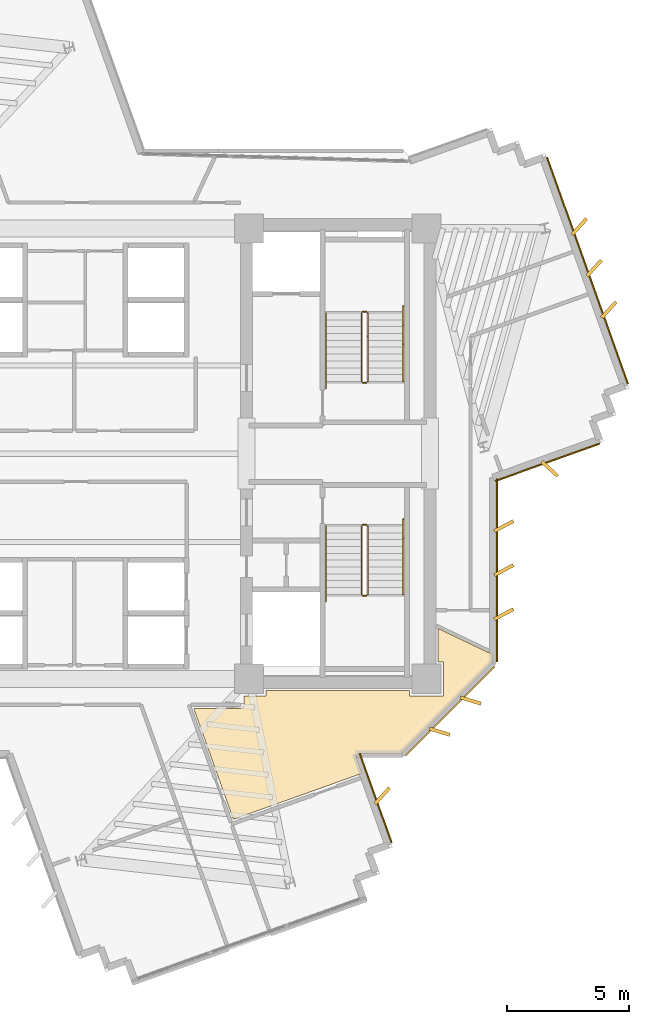
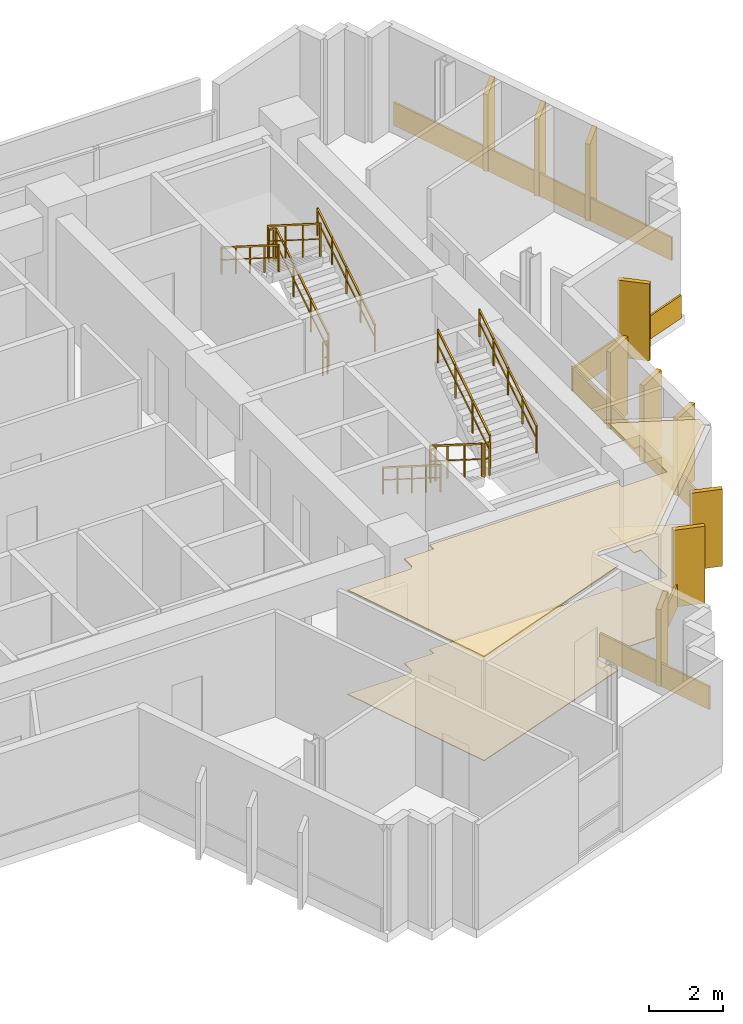
# One storey, part 12 of 13: 17 coverings, 12 railings.
"""IFC4 building model written with IfcOpenShell, lengths in metres."""

from ifc_helpers import new_model, si_unit, direction, frame, origin, origin_2d, place, context, subcontext, project, spatial, polyline, rectangle, outline, extrude, source, transform, mapped, material, layer, layer_set, type_object, element, save


model = new_model("IFC4")

# Units and contexts
model_context = context("Model", 3, precision=1e-05, world=origin(), true_north=direction((0.0, 1.0)))
body_context = subcontext(model_context, "Body", "Model", "MODEL_VIEW")
ifc_project = project(units=[si_unit("LENGTHUNIT", "METRE"), si_unit("AREAUNIT", "SQUARE_METRE"), si_unit("VOLUMEUNIT", "CUBIC_METRE"), si_unit("PLANEANGLEUNIT", "RADIAN"), si_unit("MASSUNIT", "GRAM", prefix="KILO")], contexts=[model_context])

# Site, building, storey
site_placement = place(None, origin())
site = spatial("IfcSite", under=ifc_project, at=site_placement, CompositionType="ELEMENT")
building_placement = place(site_placement, origin())
building = spatial("IfcBuilding", under=site, at=building_placement, Name="Zahravan Cultural Tower", CompositionType="ELEMENT")
storey_placement = place(building_placement, frame((0.0, 0.0, 225.300048828125)))
storey = spatial("IfcBuildingStorey", under=building, at=storey_placement, Name="L53", CompositionType="ELEMENT", Elevation=225.300048828125)

# Coverings
ifc_material_1 = material(Name="Acoustic mineral fibreboard")
ifc_layer_1 = layer(ifc_material_1, 0.0400390625)
ifc_layer_set_1 = layer_set([ifc_layer_1], Name="Acoustic mineral fibreboard")
covering_type_1 = type_object("IfcCoveringType", Name="COV-CEIL-AC20", PredefinedType="CEILING", material=ifc_layer_set_1)
covering_1_placement = place(storey_placement, frame((0.0, 0.0, 3.409912109375)))
element("IfcCovering", 1, at=covering_1_placement, inside=storey, type_object=covering_type_1, Name="L53 Acoustic Suspended Ceiling", PredefinedType="CEILING", context=body_context, shape_type="SweptSolid", body=[
    extrude(outline(polyline([(47.494384765625, 14.5693359375), (47.49951171875, 14.65576171875), (47.546142578125, 14.721923828125), (47.60302734375, 14.75341796875), (47.64697265625, 14.760009765625), (49.333740234375, 14.760009765625), (53.0400390625, 18.46630859375), (53.0400390625, 18.7998046875), (50.830078125, 19.85888671875), (50.830078125, 18.5), (51.050048828125, 18.5), (51.050048828125, 17.10009765625), (49.64990234375, 17.10009765625), (49.64990234375, 17.320068359375), (43.800048828125, 17.320068359375), (43.800048828125, 17.10009765625), (42.889892578125, 17.10009765625), (42.8896484375, 16.716064453125), (42.853515625, 16.639404296875), (42.78173828125, 16.601318359375), (40.842529296875, 16.60009765625), (42.463623046875, 12.064208984375), (47.71826171875, 13.94189453125), (47.494384765625, 14.5693359375)])), origin(), (0.0, 0.0, 1.0), 0.0400390625),
])
ifc_material_2 = material(Name="Terrazzo flooring")
ifc_layer_2 = layer(ifc_material_2, 0.02490234375)
ifc_layer_set_2 = layer_set([ifc_layer_2], Name="Terrazzo flooring")
covering_type_2 = type_object("IfcCoveringType", Name="COV-FLR-TZ25", PredefinedType="FLOORING", material=ifc_layer_set_2)
covering_2_placement = place(storey_placement, origin())
element("IfcCovering", 2, at=covering_2_placement, inside=storey, type_object=covering_type_2, Name="L53 Polished Terrazzo Flooring", PredefinedType="FLOORING", context=body_context, shape_type="SweptSolid", body=[
    extrude(outline(polyline([(47.494384765625, 14.5693359375), (47.49951171875, 14.65576171875), (47.546142578125, 14.721923828125), (47.60302734375, 14.75341796875), (47.64697265625, 14.760009765625), (49.333740234375, 14.760009765625), (53.0400390625, 18.46630859375), (53.0400390625, 18.7998046875), (50.830078125, 19.85888671875), (50.830078125, 18.5), (51.050048828125, 18.5), (51.050048828125, 17.10009765625), (49.64990234375, 17.10009765625), (49.64990234375, 17.320068359375), (43.800048828125, 17.320068359375), (43.800048828125, 17.10009765625), (42.889892578125, 17.10009765625), (42.8896484375, 16.716064453125), (42.853515625, 16.639404296875), (42.78173828125, 16.601318359375), (40.842529296875, 16.60009765625), (42.463623046875, 12.064208984375), (47.71826171875, 13.94189453125), (47.494384765625, 14.5693359375)])), origin(), (0.0, 0.0, 1.0), 0.02490234375),
])

# Railings
ifc_material_3 = material(Name="Steel ASTM A572 Grade 50", Category="steel")
railing_type_1 = type_object("IfcRailingType", Name="RL-STAIR-GRD1150", PredefinedType="BALUSTRADE", material=ifc_material_3)
railing_1_placement = place(storey_placement, frame((47.949951171875, 29.949951171875, 0.17724609375)))
element("IfcRailing", 3, at=railing_1_placement, inside=storey, type_object=railing_type_1, Name="L53 ST-E1 stair guard 1", PredefinedType="BALUSTRADE", context=body_context, shape_type="SweptSolid", body=[
    extrude(rectangle(XDim=0.05, YDim=0.05, at=origin_2d()), frame((0.0, 0.0, 1.0751953125), z_axis=(0.0, 0.844908973607, 0.534910110503), x_axis=(-1.0, 0.0, 0.0)), (0.0, 0.0, 1.0), 3.31396484375),
    extrude(rectangle(XDim=0.032, YDim=0.032, at=origin_2d()), frame((0.0, 0.0, 0.572021484375), z_axis=(0.0, 0.844908973607, 0.534910110503), x_axis=(-1.0, 0.0, 0.0)), (0.0, 0.0, 1.0), 3.31396484375),
    extrude(rectangle(XDim=0.04, YDim=0.04, at=origin_2d()), origin(), (0.0, 0.0, 1.0), 1.10009765625),
    extrude(rectangle(XDim=0.04, YDim=0.04, at=origin_2d()), frame((0.0, 0.933349609375, 0.5908203125)), (0.0, 0.0, 1.0), 1.10009765625),
    extrude(rectangle(XDim=0.04, YDim=0.04, at=origin_2d()), frame((0.0, 1.86669921875, 1.181884765625)), (0.0, 0.0, 1.0), 1.10009765625),
    extrude(rectangle(XDim=0.04, YDim=0.04, at=origin_2d()), frame((0.0, 2.800048828125, 1.772705078125)), (0.0, 0.0, 1.0), 1.10009765625),
])
railing_2_placement = place(storey_placement, frame((47.89990234375, 32.800048828125, 1.949951171875)))
element("IfcRailing", 4, at=railing_2_placement, inside=storey, type_object=railing_type_1, Name="L53 ST-E1 stair guard 2", PredefinedType="BALUSTRADE", context=body_context, shape_type="SweptSolid", body=[
    extrude(rectangle(XDim=0.05, YDim=0.05, at=origin_2d()), frame((0.0, 0.0, 1.0751953125), z_axis=(-1.0, 0.0, 0.0), x_axis=(0.0, -1.0, 0.0)), (0.0, 0.0, 1.0), 0.14990234375),
    extrude(rectangle(XDim=0.032, YDim=0.032, at=origin_2d()), frame((0.0, 0.0, 0.572021484375), z_axis=(-1.0, 0.0, 0.0), x_axis=(0.0, -1.0, 0.0)), (0.0, 0.0, 1.0), 0.14990234375),
    extrude(rectangle(XDim=0.04, YDim=0.04, at=origin_2d()), origin(), (0.0, 0.0, 1.0), 1.10009765625),
    extrude(rectangle(XDim=0.04, YDim=0.04, at=origin_2d()), frame((-0.14990234375, 0.0, 0.0)), (0.0, 0.0, 1.0), 1.10009765625),
])
railing_3_placement = place(storey_placement, frame((47.699951171875, 32.75, 2.127197265625)))
element("IfcRailing", 5, at=railing_3_placement, inside=storey, type_object=railing_type_1, Name="L53 ST-E1 stair guard 3", PredefinedType="BALUSTRADE", context=body_context, shape_type="SweptSolid", body=[
    extrude(rectangle(XDim=0.05, YDim=0.05, at=origin_2d()), frame((0.0, 0.0, 1.0751953125), z_axis=(0.0, -0.844908973607, 0.534910110503), x_axis=(1.0, 0.0, 0.0)), (0.0, 0.0, 1.0), 3.31396484375),
    extrude(rectangle(XDim=0.032, YDim=0.032, at=origin_2d()), frame((0.0, 0.0, 0.572021484375), z_axis=(0.0, -0.844908973607, 0.534910110503), x_axis=(1.0, 0.0, 0.0)), (0.0, 0.0, 1.0), 3.31396484375),
    extrude(rectangle(XDim=0.04, YDim=0.04, at=origin_2d()), origin(), (0.0, 0.0, 1.0), 1.10009765625),
    extrude(rectangle(XDim=0.04, YDim=0.04, at=origin_2d()), frame((0.0, -0.933349609375, 0.5908203125)), (0.0, 0.0, 1.0), 1.10009765625),
    extrude(rectangle(XDim=0.04, YDim=0.04, at=origin_2d()), frame((0.0, -1.86669921875, 1.181884765625)), (0.0, 0.0, 1.0), 1.10009765625),
    extrude(rectangle(XDim=0.04, YDim=0.04, at=origin_2d()), frame((0.0, -2.800048828125, 1.772705078125)), (0.0, 0.0, 1.0), 1.10009765625),
])
railing_4_placement = place(storey_placement, frame((47.89990234375, 29.89990234375, 0.0)))
element("IfcRailing", 6, at=railing_4_placement, inside=storey, type_object=railing_type_1, Name="L53 ST-E1 stair guard 4", PredefinedType="BALUSTRADE", context=body_context, shape_type="SweptSolid", body=[
    extrude(rectangle(XDim=0.05, YDim=0.05, at=origin_2d()), frame((0.0, 0.0, 1.0751953125), z_axis=(-1.0, 0.0, 0.0), x_axis=(0.0, -1.0, 0.0)), (0.0, 0.0, 1.0), 0.14990234375),
    extrude(rectangle(XDim=0.032, YDim=0.032, at=origin_2d()), frame((0.0, 0.0, 0.572021484375), z_axis=(-1.0, 0.0, 0.0), x_axis=(0.0, -1.0, 0.0)), (0.0, 0.0, 1.0), 0.14990234375),
    extrude(rectangle(XDim=0.04, YDim=0.04, at=origin_2d()), origin(), (0.0, 0.0, 1.0), 1.10009765625),
    extrude(rectangle(XDim=0.04, YDim=0.04, at=origin_2d()), frame((-0.14990234375, 0.0, 0.0)), (0.0, 0.0, 1.0), 1.10009765625),
])
railing_5_placement = place(storey_placement, frame((47.699951171875, 24.050048828125, 0.17724609375)))
element("IfcRailing", 7, at=railing_5_placement, inside=storey, type_object=railing_type_1, Name="L53 ST-E2 stair guard 1", PredefinedType="BALUSTRADE", context=body_context, shape_type="SweptSolid", body=[
    extrude(rectangle(XDim=0.05, YDim=0.05, at=origin_2d()), frame((0.0, 0.0, 1.0751953125), z_axis=(0.0, -0.844908973607, 0.534910110503), x_axis=(1.0, 0.0, 0.0)), (0.0, 0.0, 1.0), 3.31396484375),
    extrude(rectangle(XDim=0.032, YDim=0.032, at=origin_2d()), frame((0.0, 0.0, 0.572021484375), z_axis=(0.0, -0.844908973607, 0.534910110503), x_axis=(1.0, 0.0, 0.0)), (0.0, 0.0, 1.0), 3.31396484375),
    extrude(rectangle(XDim=0.04, YDim=0.04, at=origin_2d()), origin(), (0.0, 0.0, 1.0), 1.10009765625),
    extrude(rectangle(XDim=0.04, YDim=0.04, at=origin_2d()), frame((0.0, -0.933349609375, 0.5908203125)), (0.0, 0.0, 1.0), 1.10009765625),
    extrude(rectangle(XDim=0.04, YDim=0.04, at=origin_2d()), frame((0.0, -1.86669921875, 1.181884765625)), (0.0, 0.0, 1.0), 1.10009765625),
    extrude(rectangle(XDim=0.04, YDim=0.04, at=origin_2d()), frame((0.0, -2.800048828125, 1.772705078125)), (0.0, 0.0, 1.0), 1.10009765625),
])
railing_6_placement = place(storey_placement, frame((47.75, 21.199951171875, 1.949951171875)))
element("IfcRailing", 8, at=railing_6_placement, inside=storey, type_object=railing_type_1, Name="L53 ST-E2 stair guard 2", PredefinedType="BALUSTRADE", context=body_context, shape_type="SweptSolid", body=[
    extrude(rectangle(XDim=0.05, YDim=0.05, at=origin_2d()), frame((0.0, 0.0, 1.0751953125), z_axis=(1.0, 0.0, 0.0), x_axis=(0.0, 1.0, 0.0)), (0.0, 0.0, 1.0), 0.14990234375),
    extrude(rectangle(XDim=0.032, YDim=0.032, at=origin_2d()), frame((0.0, 0.0, 0.572021484375), z_axis=(1.0, 0.0, 0.0), x_axis=(0.0, 1.0, 0.0)), (0.0, 0.0, 1.0), 0.14990234375),
    extrude(rectangle(XDim=0.04, YDim=0.04, at=origin_2d()), origin(), (0.0, 0.0, 1.0), 1.10009765625),
    extrude(rectangle(XDim=0.04, YDim=0.04, at=origin_2d()), frame((0.14990234375, 0.0, 0.0)), (0.0, 0.0, 1.0), 1.10009765625),
])
railing_7_placement = place(storey_placement, frame((47.949951171875, 21.25, 2.127197265625)))
element("IfcRailing", 9, at=railing_7_placement, inside=storey, type_object=railing_type_1, Name="L53 ST-E2 stair guard 3", PredefinedType="BALUSTRADE", context=body_context, shape_type="SweptSolid", body=[
    extrude(rectangle(XDim=0.05, YDim=0.05, at=origin_2d()), frame((0.0, 0.0, 1.0751953125), z_axis=(0.0, 0.844908973607, 0.534910110503), x_axis=(-1.0, 0.0, 0.0)), (0.0, 0.0, 1.0), 3.31396484375),
    extrude(rectangle(XDim=0.032, YDim=0.032, at=origin_2d()), frame((0.0, 0.0, 0.572021484375), z_axis=(0.0, 0.844908973607, 0.534910110503), x_axis=(-1.0, 0.0, 0.0)), (0.0, 0.0, 1.0), 3.31396484375),
    extrude(rectangle(XDim=0.04, YDim=0.04, at=origin_2d()), origin(), (0.0, 0.0, 1.0), 1.10009765625),
    extrude(rectangle(XDim=0.04, YDim=0.04, at=origin_2d()), frame((0.0, 0.933349609375, 0.5908203125)), (0.0, 0.0, 1.0), 1.10009765625),
    extrude(rectangle(XDim=0.04, YDim=0.04, at=origin_2d()), frame((0.0, 1.86669921875, 1.181884765625)), (0.0, 0.0, 1.0), 1.10009765625),
    extrude(rectangle(XDim=0.04, YDim=0.04, at=origin_2d()), frame((0.0, 2.800048828125, 1.772705078125)), (0.0, 0.0, 1.0), 1.10009765625),
])
railing_8_placement = place(storey_placement, frame((47.75, 24.10009765625, 0.0)))
element("IfcRailing", 10, at=railing_8_placement, inside=storey, type_object=railing_type_1, Name="L53 ST-E2 stair guard 4", PredefinedType="BALUSTRADE", context=body_context, shape_type="SweptSolid", body=[
    extrude(rectangle(XDim=0.05, YDim=0.05, at=origin_2d()), frame((0.0, 0.0, 1.0751953125), z_axis=(1.0, 0.0, 0.0), x_axis=(0.0, 1.0, 0.0)), (0.0, 0.0, 1.0), 0.14990234375),
    extrude(rectangle(XDim=0.032, YDim=0.032, at=origin_2d()), frame((0.0, 0.0, 0.572021484375), z_axis=(1.0, 0.0, 0.0), x_axis=(0.0, 1.0, 0.0)), (0.0, 0.0, 1.0), 0.14990234375),
    extrude(rectangle(XDim=0.04, YDim=0.04, at=origin_2d()), origin(), (0.0, 0.0, 1.0), 1.10009765625),
    extrude(rectangle(XDim=0.04, YDim=0.04, at=origin_2d()), frame((0.14990234375, 0.0, 0.0)), (0.0, 0.0, 1.0), 1.10009765625),
])
railing_type_2 = type_object("IfcRailingType", Name="RL-STAIR-HR900", PredefinedType="HANDRAIL", material=ifc_material_3)
railing_9_placement = place(storey_placement, frame((49.39990234375, 29.949951171875, 0.17724609375)))
element("IfcRailing", 11, at=railing_9_placement, inside=storey, type_object=railing_type_2, Name="L53 ST-E1 stair handrail 1", PredefinedType="HANDRAIL", context=body_context, shape_type="SweptSolid", body=[
    extrude(rectangle(XDim=0.05, YDim=0.05, at=origin_2d()), frame((0.0, 0.0, 0.875), z_axis=(0.0, 0.844913916606, 0.534902302785), x_axis=(-1.0, 0.0, 0.0)), (0.0, 0.0, 1.0), 3.6455078125),
    extrude(rectangle(XDim=0.032, YDim=0.032, at=origin_2d()), frame((0.0, 0.0, 0.468017578125), z_axis=(0.0, 0.844913916606, 0.534902302785), x_axis=(-1.0, 0.0, 0.0)), (0.0, 0.0, 1.0), 3.6455078125),
    extrude(rectangle(XDim=0.04, YDim=0.04, at=origin_2d()), origin(), (0.0, 0.0, 1.0), 0.89990234375),
    extrude(rectangle(XDim=0.04, YDim=0.04, at=origin_2d()), frame((0.0, 0.77001953125, 0.487548828125)), (0.0, 0.0, 1.0), 0.89990234375),
    extrude(rectangle(XDim=0.04, YDim=0.04, at=origin_2d()), frame((0.0, 1.5400390625, 0.97509765625)), (0.0, 0.0, 1.0), 0.89990234375),
    extrude(rectangle(XDim=0.04, YDim=0.04, at=origin_2d()), frame((0.0, 2.31005859375, 1.46240234375)), (0.0, 0.0, 1.0), 0.89990234375),
    extrude(rectangle(XDim=0.04, YDim=0.04, at=origin_2d()), frame((0.0, 3.080078125, 1.949951171875)), (0.0, 0.0, 1.0), 0.89990234375),
])
for number, where, name in (
    (12, (46.25, 32.75, 2.127197265625), "L53 ST-E1 stair handrail 2"),
    (13, (46.25, 24.050048828125, 0.17724609375), "L53 ST-E2 stair handrail 1"),
):
    element("IfcRailing", number, at=place(storey_placement, frame(where)), inside=storey, type_object=railing_type_2, Name=name, PredefinedType="HANDRAIL", context=body_context, shape_type="SweptSolid", body=[
        extrude(rectangle(XDim=0.05, YDim=0.05, at=origin_2d()), frame((0.0, 0.0, 0.875), z_axis=(0.0, -0.844913916606, 0.534902302785), x_axis=(1.0, 0.0, 0.0)), (0.0, 0.0, 1.0), 3.6455078125),
        extrude(rectangle(XDim=0.032, YDim=0.032, at=origin_2d()), frame((0.0, 0.0, 0.468017578125), z_axis=(0.0, -0.844913916606, 0.534902302785), x_axis=(1.0, 0.0, 0.0)), (0.0, 0.0, 1.0), 3.6455078125),
        extrude(rectangle(XDim=0.04, YDim=0.04, at=origin_2d()), origin(), (0.0, 0.0, 1.0), 0.89990234375),
        extrude(rectangle(XDim=0.04, YDim=0.04, at=origin_2d()), frame((0.0, -0.77001953125, 0.487548828125)), (0.0, 0.0, 1.0), 0.89990234375),
        extrude(rectangle(XDim=0.04, YDim=0.04, at=origin_2d()), frame((0.0, -1.5400390625, 0.97509765625)), (0.0, 0.0, 1.0), 0.89990234375),
        extrude(rectangle(XDim=0.04, YDim=0.04, at=origin_2d()), frame((0.0, -2.31005859375, 1.46240234375)), (0.0, 0.0, 1.0), 0.89990234375),
        extrude(rectangle(XDim=0.04, YDim=0.04, at=origin_2d()), frame((0.0, -3.080078125, 1.949951171875)), (0.0, 0.0, 1.0), 0.89990234375),
    ])
railing_10_placement = place(storey_placement, frame((49.39990234375, 21.25, 2.127197265625)))
element("IfcRailing", 14, at=railing_10_placement, inside=storey, type_object=railing_type_2, Name="L53 ST-E2 stair handrail 2", PredefinedType="HANDRAIL", context=body_context, shape_type="SweptSolid", body=[
    extrude(rectangle(XDim=0.05, YDim=0.05, at=origin_2d()), frame((0.0, 0.0, 0.875), z_axis=(0.0, 0.844913916606, 0.534902302785), x_axis=(-1.0, 0.0, 0.0)), (0.0, 0.0, 1.0), 3.6455078125),
    extrude(rectangle(XDim=0.032, YDim=0.032, at=origin_2d()), frame((0.0, 0.0, 0.468017578125), z_axis=(0.0, 0.844913916606, 0.534902302785), x_axis=(-1.0, 0.0, 0.0)), (0.0, 0.0, 1.0), 3.6455078125),
    extrude(rectangle(XDim=0.04, YDim=0.04, at=origin_2d()), origin(), (0.0, 0.0, 1.0), 0.89990234375),
    extrude(rectangle(XDim=0.04, YDim=0.04, at=origin_2d()), frame((0.0, 0.77001953125, 0.487548828125)), (0.0, 0.0, 1.0), 0.89990234375),
    extrude(rectangle(XDim=0.04, YDim=0.04, at=origin_2d()), frame((0.0, 1.5400390625, 0.97509765625)), (0.0, 0.0, 1.0), 0.89990234375),
    extrude(rectangle(XDim=0.04, YDim=0.04, at=origin_2d()), frame((0.0, 2.31005859375, 1.46240234375)), (0.0, 0.0, 1.0), 0.89990234375),
    extrude(rectangle(XDim=0.04, YDim=0.04, at=origin_2d()), frame((0.0, 3.080078125, 1.949951171875)), (0.0, 0.0, 1.0), 0.89990234375),
])

# Coverings
ifc_material_4 = material(Name="Terracotta ceramic cladding", Category="masonry")
ifc_layer_3 = layer(ifc_material_4, 0.06005859375)
ifc_layer_set_3 = layer_set([ifc_layer_3], Name="Terracotta ceramic cladding")
covering_type_3 = type_object("IfcCoveringType", Name="COV-CLAD-TC60", PredefinedType="CLADDING", material=ifc_layer_set_3)
shared_shape_1 = source(origin(), body_context, "Body", "SweptSolid", [
    extrude(rectangle(XDim=9.820068359375, YDim=0.06005859375, at=origin_2d()), origin(), (0.0, 0.0, 1.0), 0.760009765625),
])
covering_3_placement = place(storey_placement, frame((56.9287109375, 34.479736328125, 0.02001953125), z_axis=(0.0, 0.0, 1.0), x_axis=(0.336552954434, -0.941664541576, 0.0)))
element("IfcCovering", 15, at=covering_3_placement, inside=storey, type_object=covering_type_3, Name="L53 Terracotta Spandrel Cladding 06", PredefinedType="CLADDING", context=body_context, shape_type="MappedRepresentation", body=[
    mapped(shared_shape_1, transform((0.0, 0.0, 0.0), x_axis=(1.0, 0.0, 0.0), y_axis=(0.0, 1.0, 0.0), z_axis=(0.0, 0.0, 1.0), scale=1.0)),
])
shared_shape_2 = source(origin(), body_context, "Body", "SweptSolid", [
    extrude(rectangle(XDim=5.157958984375, YDim=0.06005859375, at=origin_2d()), origin(), (0.0, 0.0, 1.0), 0.760009765625),
])
covering_4_placement = place(storey_placement, frame((51.317626953125, 16.482421875, 0.02001953125), z_axis=(0.0, 0.0, 1.0), x_axis=(-0.707106781187, -0.707106781187, 0.0)))
element("IfcCovering", 16, at=covering_4_placement, inside=storey, type_object=covering_type_3, Name="L53 Terracotta Spandrel Cladding 13", PredefinedType="CLADDING", context=body_context, shape_type="MappedRepresentation", body=[
    mapped(shared_shape_2, transform((0.0, 0.0, 0.0), x_axis=(1.0, 0.0, 0.0), y_axis=(0.0, 1.0, 0.0), z_axis=(0.0, 0.0, 1.0), scale=1.0)),
])
shared_shape_3 = source(origin(), body_context, "Body", "SweptSolid", [
    extrude(rectangle(XDim=4.5234375, YDim=0.06005859375, at=origin_2d()), origin(), (0.0, 0.0, 1.0), 0.760009765625),
])
covering_5_placement = place(storey_placement, frame((55.29248046875, 26.647216796875, 0.02001953125), z_axis=(0.0, 0.0, 1.0), x_axis=(-0.941664541576, -0.336552954434, 0.0)))
element("IfcCovering", 17, at=covering_5_placement, inside=storey, type_object=covering_type_3, Name="L53 Terracotta Spandrel Cladding 11", PredefinedType="CLADDING", context=body_context, shape_type="MappedRepresentation", body=[
    mapped(shared_shape_3, transform((0.0, 0.0, 0.0), x_axis=(1.0, 0.0, 0.0), y_axis=(0.0, 1.0, 0.0), z_axis=(0.0, 0.0, 1.0), scale=1.0)),
])
shared_shape_4 = source(origin(), body_context, "Body", "SweptSolid", [
    extrude(rectangle(XDim=7.466552734375, YDim=0.06005859375, at=origin_2d()), origin(), (0.0, 0.0, 1.0), 0.760009765625),
])
covering_6_placement = place(storey_placement, frame((53.22509765625, 22.2412109375, 0.02001953125), z_axis=(0.0, 0.0, 1.0), x_axis=(0.0, -1.0, 0.0)))
element("IfcCovering", 18, at=covering_6_placement, inside=storey, type_object=covering_type_3, Name="L53 Terracotta Spandrel Cladding 12", PredefinedType="CLADDING", context=body_context, shape_type="MappedRepresentation", body=[
    mapped(shared_shape_4, transform((0.0, 0.0, 0.0), x_axis=(1.0, 0.0, 0.0), y_axis=(0.0, 1.0, 0.0), z_axis=(0.0, 0.0, 1.0), scale=1.0)),
])
shared_shape_5 = source(origin(), body_context, "Body", "SweptSolid", [
    extrude(rectangle(XDim=3.8603515625, YDim=0.06005859375, at=origin_2d()), origin(), (0.0, 0.0, 1.0), 0.760009765625),
])
covering_7_placement = place(storey_placement, frame((48.27587890625, 12.930908203125, 0.02001953125), z_axis=(0.0, 0.0, 1.0), x_axis=(0.336536519236, -0.94167041539, 0.0)))
element("IfcCovering", 19, at=covering_7_placement, inside=storey, type_object=covering_type_3, Name="L53 Terracotta Spandrel Cladding 15", PredefinedType="CLADDING", context=body_context, shape_type="MappedRepresentation", body=[
    mapped(shared_shape_5, transform((0.0, 0.0, 0.0), x_axis=(1.0, 0.0, 0.0), y_axis=(0.0, 1.0, 0.0), z_axis=(0.0, 0.0, 1.0), scale=1.0)),
])
shared_shape_6 = source(origin(), body_context, "Body", "SweptSolid", [
    extrude(rectangle(XDim=0.8798828125, YDim=0.139892578125, at=origin_2d()), origin(), (0.0, 0.0, 1.0), 2.530029296875),
])
for number, where, z_axis, x_axis, name in (
    (20, (56.59130859375, 36.270751953125, 0.0498046875), (0.0, 0.0, 1.0), (0.673438398787, 0.739243344941, 0.0), "L53 Herringbone Terracotta Fin 01"),
    (21, (57.197021484375, 34.57568359375, 0.0498046875), (0.0, 0.0, 1.0), (0.673438398787, 0.739243344941, 0.0), "L53 Herringbone Terracotta Fin 02"),
    (22, (57.802734375, 32.880615234375, 0.0498046875), (0.0, 0.0, 1.0), (0.673438398787, 0.739243344941, 0.0), "L53 Herringbone Terracotta Fin 03"),
    (23, (55.38818359375, 26.37890625, 0.0498046875), (0.0, 0.0, 1.0), (0.739243344941, -0.673438398787, 0.0), "L53 Herringbone Terracotta Fin 04"),
    (24, (53.510009765625, 24.041259765625, 0.0498046875), (0.0, 0.0, 1.0), (0.882947592859, 0.469471562786, 0.0), "L53 Herringbone Terracotta Fin 05"),
    (25, (53.510009765625, 22.2412109375, 0.0498046875), (0.0, 0.0, 1.0), (0.882947592859, 0.469471562786, 0.0), "L53 Herringbone Terracotta Fin 06"),
    (26, (53.510009765625, 20.44140625, 0.0498046875), (0.0, 0.0, 1.0), (0.882947592859, 0.469471562786, 0.0), "L53 Herringbone Terracotta Fin 07"),
    (27, (52.155517578125, 16.917236328125, 0.0498046875), (0.0, 0.0, 1.0), (0.956304755963, -0.292371704723, 0.0), "L53 Herringbone Terracotta Fin 08"),
    (28, (50.8828125, 15.644287109375, 0.0498046875), (0.0, 0.0, 1.0), (0.956304755963, -0.292371704723, 0.0), "L53 Herringbone Terracotta Fin 09"),
    (29, (48.54443359375, 13.02685546875, 0.0498046875), (0.0, 0.0, 1.0), (0.673451300915, 0.739231591111, 0.0), "L53 Herringbone Terracotta Fin 10"),
):
    element("IfcCovering", number, at=place(storey_placement, frame(where, z_axis=z_axis, x_axis=x_axis)), inside=storey, type_object=covering_type_3, Name=name, PredefinedType="CLADDING", context=body_context, shape_type="MappedRepresentation", body=[
        mapped(shared_shape_6, transform((0.0, 0.0, 0.0), x_axis=(1.0, 0.0, 0.0), y_axis=(0.0, 1.0, 0.0), z_axis=(0.0, 0.0, 1.0), scale=1.0)),
    ])

save(model, "model.ifc")
